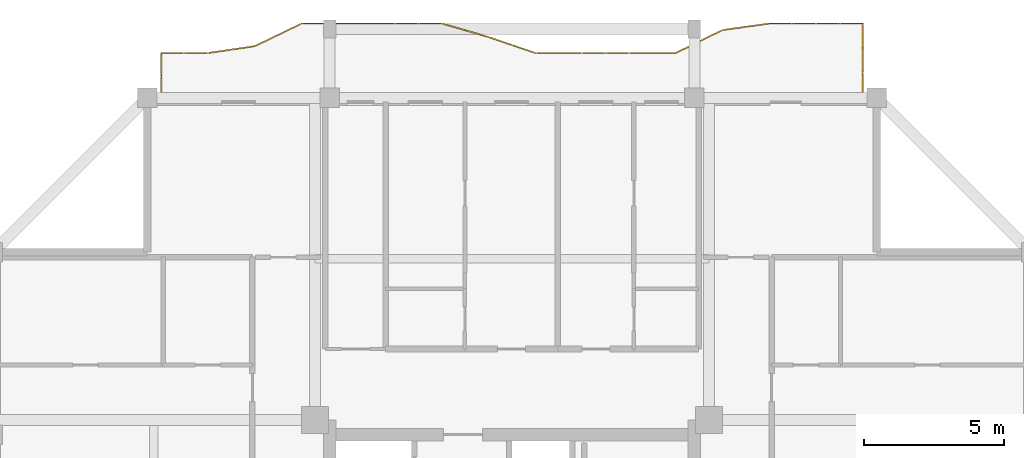
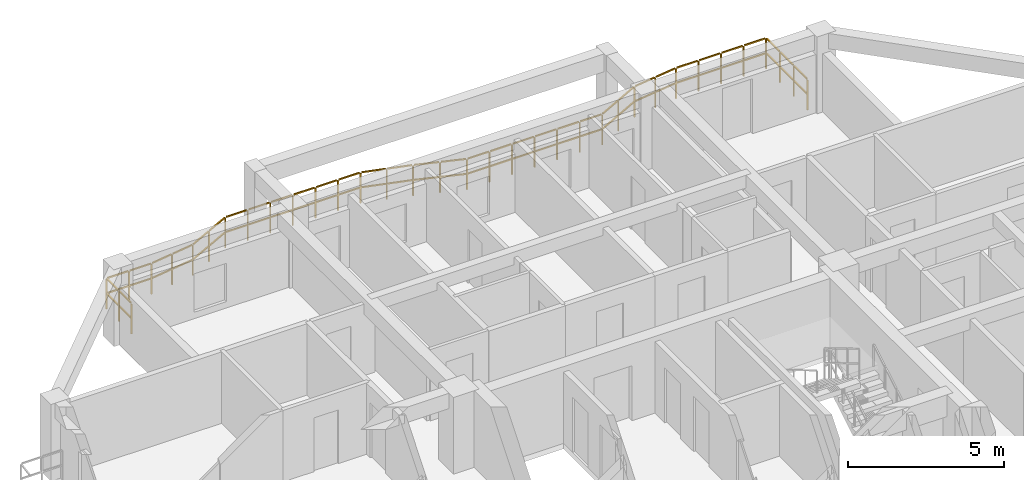
# One storey, part 14 of 14: 1 railing.
"""IFC4 building model written with IfcOpenShell, lengths in metres."""

import ifcopenshell
import ifcopenshell.guid

model = None  # the IFC model being written
_history = None  # IfcOwnerHistory: only IFC2X3 demands one
_inside = {}  # id of a spatial element -> (the spatial element, [elements in it])
_under = {}  # id of a project, library or spatial element -> (it, [spatial elements below it])
_declared = {}  # id of a project -> (the project, [libraries it declares])
_typed = {}  # id of a type object -> (the type object, [elements of that type])
_made_of = {}  # id of a material, layer set ... -> (it, [elements and type objects made of it])


def new_model(schema):
    """Start an empty IFC model of exactly this schema.

    Asked for "IFC4X3", IfcOpenShell would pick the latest addendum, in which some entities
    have other attributes; the version numbers below select the first issue.
    IFC2X3 requires an IfcOwnerHistory on every rooted entity: one is made here for all.
    """
    global model, _history
    if schema == "IFC4X3":
        model = ifcopenshell.file(schema_version=(4, 3, 0, 0))
    else:
        model = ifcopenshell.file(schema=schema)
    _inside.clear()
    _under.clear()
    _declared.clear()
    _typed.clear()
    _made_of.clear()
    _history = None
    if model.schema == "IFC2X3":
        org = make("IfcOrganization", Name="unknown")
        user = make(
            "IfcPersonAndOrganization",
            ThePerson=make("IfcPerson", FamilyName="unknown"),
            TheOrganization=org,
        )
        app = make(
            "IfcApplication",
            ApplicationDeveloper=org,
            Version="unknown",
            ApplicationFullName="unknown",
            ApplicationIdentifier="unknown",
        )
        _history = make(
            "IfcOwnerHistory",
            OwningUser=user,
            OwningApplication=app,
            ChangeAction="ADDED",
            CreationDate=0,
        )
    return model


def make(cls, **values):
    """One entity of the class cls with the attributes given. An attribute that is None is left unset."""
    return model.create_entity(
        cls, **{name: value for name, value in values.items() if value is not None}
    )


def rooted(cls, **values):
    """An entity with a GlobalId (a new one), such as an element, a storey or a relation."""
    return make(cls, GlobalId=ifcopenshell.guid.new(), OwnerHistory=_history, **values)


def si_unit(unit_type, name, prefix=None):
    """IfcSIUnit, for example si_unit("LENGTHUNIT", "METRE", prefix="MILLI")."""
    return make("IfcSIUnit", UnitType=unit_type, Prefix=prefix, Name=name)


def assignment(units):
    """IfcUnitAssignment: the units of a project."""
    return None if units is None else make("IfcUnitAssignment", Units=units)


def point(xyz):
    """IfcCartesianPoint."""
    return None if xyz is None else make("IfcCartesianPoint", Coordinates=xyz)


def direction(xyz):
    """IfcDirection."""
    return None if xyz is None else make("IfcDirection", DirectionRatios=xyz)


def frame(location, z_axis=None, x_axis=None):
    """IfcAxis2Placement3D, a coordinate frame: its origin and axes. An axis left out is left unset."""
    return make(
        "IfcAxis2Placement3D",
        Location=point(location),
        Axis=direction(z_axis),
        RefDirection=direction(x_axis),
    )


def frame_2d(location, x_axis=None):
    """IfcAxis2Placement2D, a coordinate frame in the plane: its origin and x axis."""
    return make(
        "IfcAxis2Placement2D", Location=point(location), RefDirection=direction(x_axis)
    )


def origin():
    """The frame at (0, 0, 0) with its axes left unset."""
    return frame((0.0, 0.0, 0.0))


def origin_2d():
    """The frame at (0, 0) in the plane with its x axis left unset."""
    return frame_2d((0.0, 0.0))


def place(relative_to, where):
    """IfcLocalPlacement: puts the frame where relative to a parent placement (None: the world)."""
    return make(
        "IfcLocalPlacement", PlacementRelTo=relative_to, RelativePlacement=where
    )


def context(
    kind, dimensions, precision=None, world=None, true_north=None, identifier=None
):
    """IfcGeometricRepresentationContext, for example the 3D "Model" context."""
    return make(
        "IfcGeometricRepresentationContext",
        ContextIdentifier=identifier,
        ContextType=kind,
        CoordinateSpaceDimension=dimensions,
        Precision=precision,
        WorldCoordinateSystem=world,
        TrueNorth=true_north,
    )


def subcontext(parent, identifier, kind, view, scale=None):
    """IfcGeometricRepresentationSubContext, for example "Body" below "Model"."""
    return make(
        "IfcGeometricRepresentationSubContext",
        ContextIdentifier=identifier,
        ContextType=kind,
        ParentContext=parent,
        TargetScale=scale,
        TargetView=view,
    )


def project(units=None, contexts=None):
    """IfcProject with its units and contexts."""
    return rooted(
        "IfcProject",
        Name="project",
        RepresentationContexts=contexts,
        UnitsInContext=assignment(units),
    )


def spatial(cls, under=None, at=None, **own):
    """A site, building, storey or space (cls), placed at a placement, below another one or the project."""
    s = rooted(cls, ObjectPlacement=at, **own)
    if under is not None:
        _under.setdefault(under.id(), (under, []))[1].append(s)
    return s


def profile(cls, at=None, kind="AREA", **sizes):
    """A parametric profile (cls). Its sizes go by their IFC names, for example OverallWidth=200.0."""
    return make(cls, ProfileType=kind, Position=at, **sizes)


def rectangle(**sizes):
    """IfcRectangleProfileDef."""
    return profile("IfcRectangleProfileDef", **sizes)


def extrude(swept, where, along, depth):
    """IfcExtrudedAreaSolid: the profile swept, set in the frame where, extruded along a direction by depth."""
    return make(
        "IfcExtrudedAreaSolid",
        SweptArea=swept,
        Position=where,
        ExtrudedDirection=direction(along),
        Depth=depth,
    )


def shape(context_of_items, identifier, shape_type, items):
    """IfcShapeRepresentation: the items that make up one representation, for example the "Body"."""
    return make(
        "IfcShapeRepresentation",
        ContextOfItems=context_of_items,
        RepresentationIdentifier=identifier,
        RepresentationType=shape_type,
        Items=items,
    )


def material(Name=None, Category=None):
    """IfcMaterial."""
    return make("IfcMaterial", Name=Name, Category=Category)


def made_of(thing, what):
    """Note that an element or type object is made of a material, layer set ...; save() writes the relation."""
    if what is not None:
        _made_of.setdefault(what.id(), (what, []))[1].append(thing)
    return thing


def type_object(cls, material=None, **own):
    """A type object (cls), such as IfcWallType, which elements share."""
    return made_of(rooted(cls, **own), material)


def element(
    cls,
    number,
    at=None,
    inside=None,
    cuts=None,
    type_object=None,
    material=None,
    context=None,
    identifier="Body",
    shape_type=None,
    held_by="IfcProductDefinitionShape",
    body=None,
    shapes=None,
    **own,
):
    """One element of the class cls, such as IfcWall. Its Tag is "e" and its number.

    at: its placement. inside: the storey or other place that contains it. cuts: it is an
    opening in that element (IfcRelVoidsElement). A single representation is given by context,
    identifier, shape_type and body (its items); several are given by shapes. held_by: the class
    of the entity that holds the representations. save() writes the other relations.
    """
    e = rooted(cls, Tag="e%d" % number, ObjectPlacement=at, **own)
    if body is not None:
        shapes = [shape(context, identifier, shape_type, body)]
    if shapes is not None:
        e.Representation = make(held_by, Representations=shapes)
    if inside is not None:
        _inside.setdefault(inside.id(), (inside, []))[1].append(e)
    if cuts is not None:
        rooted(
            "IfcRelVoidsElement", RelatingBuildingElement=cuts, RelatedOpeningElement=e
        )
    if type_object is not None:
        _typed.setdefault(type_object.id(), (type_object, []))[1].append(e)
    return made_of(e, material)


def aggregate(whole, parts):
    """IfcRelAggregates: a whole, such as a stair, and the parts it consists of."""
    return rooted("IfcRelAggregates", RelatingObject=whole, RelatedObjects=parts)


def save(model, path):
    """Write the relations noted so far, then the file.

    IfcRelAggregates (storeys below a building ...), IfcRelContainedInSpatialStructure (elements
    in a storey), IfcRelDefinesByType, IfcRelAssociatesMaterial and IfcRelDeclares: one each for
    every whole, place, type object, material and project.
    """
    for whole, parts in _under.values():
        aggregate(whole, parts)
    for where, things in _inside.values():
        rooted(
            "IfcRelContainedInSpatialStructure",
            RelatedElements=things,
            RelatingStructure=where,
        )
    for kind, things in _typed.values():
        rooted("IfcRelDefinesByType", RelatedObjects=things, RelatingType=kind)
    for what, things in _made_of.values():
        rooted("IfcRelAssociatesMaterial", RelatedObjects=things, RelatingMaterial=what)
    for by, libraries in _declared.values():
        rooted("IfcRelDeclares", RelatingContext=by, RelatedDefinitions=libraries)
    model.write(path)


model = new_model("IFC4")

# Units and contexts
model_context = context("Model", 3, precision=1e-05, world=origin(), true_north=direction((0.0, 1.0)))
body_context = subcontext(model_context, "Body", "Model", "MODEL_VIEW")
ifc_project = project(units=[si_unit("LENGTHUNIT", "METRE"), si_unit("AREAUNIT", "SQUARE_METRE"), si_unit("VOLUMEUNIT", "CUBIC_METRE"), si_unit("PLANEANGLEUNIT", "RADIAN"), si_unit("MASSUNIT", "GRAM", prefix="KILO")], contexts=[model_context])

# Site, building, storey
site_placement = place(None, origin())
site = spatial("IfcSite", under=ifc_project, at=site_placement, CompositionType="ELEMENT")
building_placement = place(site_placement, origin())
building = spatial("IfcBuilding", under=site, at=building_placement, Name="Saelheon Loggia Tower", CompositionType="ELEMENT")
storey_placement = place(building_placement, frame((0.0, 0.0, 213.300048828125)))
storey = spatial("IfcBuildingStorey", under=building, at=storey_placement, Name="L66", CompositionType="ELEMENT", Elevation=213.300048828125)

# Railing
ifc_material = material(Name="Architectural Precast Concrete and Laminated Glass Guard", Category="concrete")
railing_type = type_object("IfcRailingType", Name="Guard_Loggia_RL_LOG", PredefinedType="BALUSTRADE", material=ifc_material)
railing_placement = place(storey_placement, frame((50.5, 48.0, 0.0)))
element("IfcRailing", 1, at=railing_placement, inside=storey, type_object=railing_type, Name="L66 North Loggia Balustrade", PredefinedType="BALUSTRADE", context=body_context, shape_type="SweptSolid", body=[
    extrude(rectangle(XDim=0.048095703125, YDim=0.048095703125, at=origin_2d()), frame((0.0, 0.033203125, 1.19580078125), z_axis=(0.0, 1.0, 0.0), x_axis=(-1.0, 0.0, 0.0)), (0.0, 0.0, 1.0), 0.81689453125),
    extrude(rectangle(XDim=0.048095703125, YDim=0.048095703125, at=origin_2d()), frame((0.0, 0.033203125, 0.60986328125), z_axis=(0.0, 1.0, 0.0), x_axis=(-1.0, 0.0, 0.0)), (0.0, 0.0, 1.0), 0.81689453125),
    extrude(rectangle(XDim=0.048095703125, YDim=0.048095703125, at=origin_2d()), frame((0.0, 0.91650390625, 1.19580078125), z_axis=(0.0, 1.0, 0.0), x_axis=(-1.0, 0.0, 0.0)), (0.0, 0.0, 1.0), 0.81689453125),
    extrude(rectangle(XDim=0.048095703125, YDim=0.048095703125, at=origin_2d()), frame((0.0, 0.91650390625, 0.60986328125), z_axis=(0.0, 1.0, 0.0), x_axis=(-1.0, 0.0, 0.0)), (0.0, 0.0, 1.0), 0.81689453125),
    extrude(rectangle(XDim=0.048095703125, YDim=0.048095703125, at=origin_2d()), frame((0.0, 1.7998046875, 1.19580078125), z_axis=(0.0, 1.0, 0.0), x_axis=(-1.0, 0.0, 0.0)), (0.0, 0.0, 1.0), 0.81689453125),
    extrude(rectangle(XDim=0.048095703125, YDim=0.048095703125, at=origin_2d()), frame((0.0, 1.7998046875, 0.60986328125), z_axis=(0.0, 1.0, 0.0), x_axis=(-1.0, 0.0, 0.0)), (0.0, 0.0, 1.0), 0.81689453125),
    extrude(rectangle(XDim=0.048095703125, YDim=0.048095703125, at=origin_2d()), frame((-0.033203125, 2.64990234375, 1.19580078125), z_axis=(-1.0, 0.0, 0.0), x_axis=(0.0, -1.0, 0.0)), (0.0, 0.0, 1.0), 0.766845703125),
    extrude(rectangle(XDim=0.048095703125, YDim=0.048095703125, at=origin_2d()), frame((-0.033203125, 2.64990234375, 0.60986328125), z_axis=(-1.0, 0.0, 0.0), x_axis=(0.0, -1.0, 0.0)), (0.0, 0.0, 1.0), 0.766845703125),
    extrude(rectangle(XDim=0.048095703125, YDim=0.048095703125, at=origin_2d()), frame((-0.86669921875, 2.64990234375, 1.19580078125), z_axis=(-1.0, 0.0, 0.0), x_axis=(0.0, -1.0, 0.0)), (0.0, 0.0, 1.0), 0.766845703125),
    extrude(rectangle(XDim=0.048095703125, YDim=0.048095703125, at=origin_2d()), frame((-0.86669921875, 2.64990234375, 0.60986328125), z_axis=(-1.0, 0.0, 0.0), x_axis=(0.0, -1.0, 0.0)), (0.0, 0.0, 1.0), 0.766845703125),
    extrude(rectangle(XDim=0.048095703125, YDim=0.048095703125, at=origin_2d()), frame((-1.699951171875, 2.64990234375, 1.19580078125), z_axis=(-1.0, 0.0, 0.0), x_axis=(0.0, -1.0, 0.0)), (0.0, 0.0, 1.0), 0.766845703125),
    extrude(rectangle(XDim=0.048095703125, YDim=0.048095703125, at=origin_2d()), frame((-1.699951171875, 2.64990234375, 0.60986328125), z_axis=(-1.0, 0.0, 0.0), x_axis=(0.0, -1.0, 0.0)), (0.0, 0.0, 1.0), 0.766845703125),
    extrude(rectangle(XDim=0.048095703125, YDim=0.048095703125, at=origin_2d()), frame((-2.533203125, 2.64990234375, 1.19580078125), z_axis=(-1.0, 0.0, 0.0), x_axis=(0.0, -1.0, 0.0)), (0.0, 0.0, 1.0), 0.766845703125),
    extrude(rectangle(XDim=0.048095703125, YDim=0.048095703125, at=origin_2d()), frame((-2.533203125, 2.64990234375, 0.60986328125), z_axis=(-1.0, 0.0, 0.0), x_axis=(0.0, -1.0, 0.0)), (0.0, 0.0, 1.0), 0.766845703125),
    extrude(rectangle(XDim=0.048095703125, YDim=0.048095703125, at=origin_2d()), frame((-3.3662109375, 2.645263671875, 1.19580078125), z_axis=(-0.990614355451, -0.136686498145, 0.0), x_axis=(0.136686498145, -0.990614355451, 0.0)), (0.0, 0.0, 1.0), 0.77490234375),
    extrude(rectangle(XDim=0.048095703125, YDim=0.048095703125, at=origin_2d()), frame((-3.3662109375, 2.645263671875, 0.60986328125), z_axis=(-0.990614355451, -0.136686498145, 0.0), x_axis=(0.136686498145, -0.990614355451, 0.0)), (0.0, 0.0, 1.0), 0.77490234375),
    extrude(rectangle(XDim=0.048095703125, YDim=0.048095703125, at=origin_2d()), frame((-4.199462890625, 2.5302734375, 1.19580078125), z_axis=(-0.990614355451, -0.136686498145, 0.0), x_axis=(0.136686498145, -0.990614355451, 0.0)), (0.0, 0.0, 1.0), 0.77490234375),
    extrude(rectangle(XDim=0.048095703125, YDim=0.048095703125, at=origin_2d()), frame((-4.199462890625, 2.5302734375, 0.60986328125), z_axis=(-0.990614355451, -0.136686498145, 0.0), x_axis=(0.136686498145, -0.990614355451, 0.0)), (0.0, 0.0, 1.0), 0.77490234375),
    extrude(rectangle(XDim=0.048095703125, YDim=0.048095703125, at=origin_2d()), frame((-5.02978515625, 2.4052734375, 1.19580078125), z_axis=(-0.89732607219, -0.441368236475, 0.0), x_axis=(0.441368236475, -0.89732607219, 0.0)), (0.0, 0.0, 1.0), 0.8623046875),
    extrude(rectangle(XDim=0.048095703125, YDim=0.048095703125, at=origin_2d()), frame((-5.02978515625, 2.4052734375, 0.60986328125), z_axis=(-0.89732607219, -0.441368236475, 0.0), x_axis=(0.441368236475, -0.89732607219, 0.0)), (0.0, 0.0, 1.0), 0.8623046875),
    extrude(rectangle(XDim=0.048095703125, YDim=0.048095703125, at=origin_2d()), frame((-5.86328125, 1.995361328125, 1.19580078125), z_axis=(-0.89732607219, -0.441368236475, 0.0), x_axis=(0.441368236475, -0.89732607219, 0.0)), (0.0, 0.0, 1.0), 0.8623046875),
    extrude(rectangle(XDim=0.048095703125, YDim=0.048095703125, at=origin_2d()), frame((-5.86328125, 1.995361328125, 0.60986328125), z_axis=(-0.89732607219, -0.441368236475, 0.0), x_axis=(0.441368236475, -0.89732607219, 0.0)), (0.0, 0.0, 1.0), 0.8623046875),
    extrude(rectangle(XDim=0.048095703125, YDim=0.048095703125, at=origin_2d()), frame((-6.699951171875, 1.60009765625, 1.19580078125), z_axis=(-1.0, 0.0, 0.0), x_axis=(0.0, -1.0, 0.0)), (0.0, 0.0, 1.0), 0.766845703125),
    extrude(rectangle(XDim=0.048095703125, YDim=0.048095703125, at=origin_2d()), frame((-6.699951171875, 1.60009765625, 0.60986328125), z_axis=(-1.0, 0.0, 0.0), x_axis=(0.0, -1.0, 0.0)), (0.0, 0.0, 1.0), 0.766845703125),
    extrude(rectangle(XDim=0.048095703125, YDim=0.048095703125, at=origin_2d()), frame((-7.533203125, 1.60009765625, 1.19580078125), z_axis=(-1.0, 0.0, 0.0), x_axis=(0.0, -1.0, 0.0)), (0.0, 0.0, 1.0), 0.766845703125),
    extrude(rectangle(XDim=0.048095703125, YDim=0.048095703125, at=origin_2d()), frame((-7.533203125, 1.60009765625, 0.60986328125), z_axis=(-1.0, 0.0, 0.0), x_axis=(0.0, -1.0, 0.0)), (0.0, 0.0, 1.0), 0.766845703125),
    extrude(rectangle(XDim=0.048095703125, YDim=0.048095703125, at=origin_2d()), frame((-8.366455078125, 1.60009765625, 1.19580078125), z_axis=(-1.0, 0.0, 0.0), x_axis=(0.0, -1.0, 0.0)), (0.0, 0.0, 1.0), 0.766845703125),
    extrude(rectangle(XDim=0.048095703125, YDim=0.048095703125, at=origin_2d()), frame((-8.366455078125, 1.60009765625, 0.60986328125), z_axis=(-1.0, 0.0, 0.0), x_axis=(0.0, -1.0, 0.0)), (0.0, 0.0, 1.0), 0.766845703125),
    extrude(rectangle(XDim=0.048095703125, YDim=0.048095703125, at=origin_2d()), frame((-9.199951171875, 1.60009765625, 1.19580078125), z_axis=(-1.0, 0.0, 0.0), x_axis=(0.0, -1.0, 0.0)), (0.0, 0.0, 1.0), 0.766845703125),
    extrude(rectangle(XDim=0.048095703125, YDim=0.048095703125, at=origin_2d()), frame((-9.199951171875, 1.60009765625, 0.60986328125), z_axis=(-1.0, 0.0, 0.0), x_axis=(0.0, -1.0, 0.0)), (0.0, 0.0, 1.0), 0.766845703125),
    extrude(rectangle(XDim=0.048095703125, YDim=0.048095703125, at=origin_2d()), frame((-10.033203125, 1.60009765625, 1.19580078125), z_axis=(-1.0, 0.0, 0.0), x_axis=(0.0, -1.0, 0.0)), (0.0, 0.0, 1.0), 0.766845703125),
    extrude(rectangle(XDim=0.048095703125, YDim=0.048095703125, at=origin_2d()), frame((-10.033203125, 1.60009765625, 0.60986328125), z_axis=(-1.0, 0.0, 0.0), x_axis=(0.0, -1.0, 0.0)), (0.0, 0.0, 1.0), 0.766845703125),
    extrude(rectangle(XDim=0.048095703125, YDim=0.048095703125, at=origin_2d()), frame((-10.86669921875, 1.60009765625, 1.19580078125), z_axis=(-1.0, 0.0, 0.0), x_axis=(0.0, -1.0, 0.0)), (0.0, 0.0, 1.0), 0.766845703125),
    extrude(rectangle(XDim=0.048095703125, YDim=0.048095703125, at=origin_2d()), frame((-10.86669921875, 1.60009765625, 0.60986328125), z_axis=(-1.0, 0.0, 0.0), x_axis=(0.0, -1.0, 0.0)), (0.0, 0.0, 1.0), 0.766845703125),
    extrude(rectangle(XDim=0.048095703125, YDim=0.048095703125, at=origin_2d()), frame((-11.6982421875, 1.61083984375, 1.19580078125), z_axis=(-0.946512113142, 0.322668281172, 0.0), x_axis=(-0.322668281172, -0.946512113142, 0.0)), (0.0, 0.0, 1.0), 0.81396484375),
    extrude(rectangle(XDim=0.048095703125, YDim=0.048095703125, at=origin_2d()), frame((-11.6982421875, 1.61083984375, 0.60986328125), z_axis=(-0.946512113142, 0.322668281172, 0.0), x_axis=(-0.322668281172, -0.946512113142, 0.0)), (0.0, 0.0, 1.0), 0.81396484375),
    extrude(rectangle(XDim=0.048095703125, YDim=0.048095703125, at=origin_2d()), frame((-12.531494140625, 1.894775390625, 1.19580078125), z_axis=(-0.946512113142, 0.322668281172, 0.0), x_axis=(-0.322668281172, -0.946512113142, 0.0)), (0.0, 0.0, 1.0), 0.81396484375),
    extrude(rectangle(XDim=0.048095703125, YDim=0.048095703125, at=origin_2d()), frame((-12.531494140625, 1.894775390625, 0.60986328125), z_axis=(-0.946512113142, 0.322668281172, 0.0), x_axis=(-0.322668281172, -0.946512113142, 0.0)), (0.0, 0.0, 1.0), 0.81396484375),
    extrude(rectangle(XDim=0.048095703125, YDim=0.048095703125, at=origin_2d()), frame((-13.365234375, 2.177490234375, 1.19580078125), z_axis=(-0.96068582887, 0.277637782388, 0.0), x_axis=(-0.277637782388, -0.96068582887, 0.0)), (0.0, 0.0, 1.0), 0.801025390625),
    extrude(rectangle(XDim=0.048095703125, YDim=0.048095703125, at=origin_2d()), frame((-13.365234375, 2.177490234375, 0.60986328125), z_axis=(-0.96068582887, 0.277637782388, 0.0), x_axis=(-0.277637782388, -0.96068582887, 0.0)), (0.0, 0.0, 1.0), 0.801025390625),
    extrude(rectangle(XDim=0.048095703125, YDim=0.048095703125, at=origin_2d()), frame((-14.198486328125, 2.418212890625, 1.19580078125), z_axis=(-0.96068582887, 0.277637782388, 0.0), x_axis=(-0.277637782388, -0.96068582887, 0.0)), (0.0, 0.0, 1.0), 0.801025390625),
    extrude(rectangle(XDim=0.048095703125, YDim=0.048095703125, at=origin_2d()), frame((-14.198486328125, 2.418212890625, 0.60986328125), z_axis=(-0.96068582887, 0.277637782388, 0.0), x_axis=(-0.277637782388, -0.96068582887, 0.0)), (0.0, 0.0, 1.0), 0.801025390625),
    extrude(rectangle(XDim=0.048095703125, YDim=0.048095703125, at=origin_2d()), frame((-15.033203125, 2.64990234375, 1.19580078125), z_axis=(-1.0, 0.0, 0.0), x_axis=(0.0, -1.0, 0.0)), (0.0, 0.0, 1.0), 0.766845703125),
    extrude(rectangle(XDim=0.048095703125, YDim=0.048095703125, at=origin_2d()), frame((-15.033203125, 2.64990234375, 0.60986328125), z_axis=(-1.0, 0.0, 0.0), x_axis=(0.0, -1.0, 0.0)), (0.0, 0.0, 1.0), 0.766845703125),
    extrude(rectangle(XDim=0.048095703125, YDim=0.048095703125, at=origin_2d()), frame((-15.86669921875, 2.64990234375, 1.19580078125), z_axis=(-1.0, 0.0, 0.0), x_axis=(0.0, -1.0, 0.0)), (0.0, 0.0, 1.0), 0.766845703125),
    extrude(rectangle(XDim=0.048095703125, YDim=0.048095703125, at=origin_2d()), frame((-15.86669921875, 2.64990234375, 0.60986328125), z_axis=(-1.0, 0.0, 0.0), x_axis=(0.0, -1.0, 0.0)), (0.0, 0.0, 1.0), 0.766845703125),
    extrude(rectangle(XDim=0.048095703125, YDim=0.048095703125, at=origin_2d()), frame((-16.699951171875, 2.64990234375, 1.19580078125), z_axis=(-1.0, 0.0, 0.0), x_axis=(0.0, -1.0, 0.0)), (0.0, 0.0, 1.0), 0.766845703125),
    extrude(rectangle(XDim=0.048095703125, YDim=0.048095703125, at=origin_2d()), frame((-16.699951171875, 2.64990234375, 0.60986328125), z_axis=(-1.0, 0.0, 0.0), x_axis=(0.0, -1.0, 0.0)), (0.0, 0.0, 1.0), 0.766845703125),
    extrude(rectangle(XDim=0.048095703125, YDim=0.048095703125, at=origin_2d()), frame((-17.533203125, 2.64990234375, 1.19580078125), z_axis=(-1.0, 0.0, 0.0), x_axis=(0.0, -1.0, 0.0)), (0.0, 0.0, 1.0), 0.766845703125),
    extrude(rectangle(XDim=0.048095703125, YDim=0.048095703125, at=origin_2d()), frame((-17.533203125, 2.64990234375, 0.60986328125), z_axis=(-1.0, 0.0, 0.0), x_axis=(0.0, -1.0, 0.0)), (0.0, 0.0, 1.0), 0.766845703125),
    extrude(rectangle(XDim=0.048095703125, YDim=0.048095703125, at=origin_2d()), frame((-18.366455078125, 2.64990234375, 1.19580078125), z_axis=(-1.0, 0.0, 0.0), x_axis=(0.0, -1.0, 0.0)), (0.0, 0.0, 1.0), 0.766845703125),
    extrude(rectangle(XDim=0.048095703125, YDim=0.048095703125, at=origin_2d()), frame((-18.366455078125, 2.64990234375, 0.60986328125), z_axis=(-1.0, 0.0, 0.0), x_axis=(0.0, -1.0, 0.0)), (0.0, 0.0, 1.0), 0.766845703125),
    extrude(rectangle(XDim=0.048095703125, YDim=0.048095703125, at=origin_2d()), frame((-19.199951171875, 2.64990234375, 1.19580078125), z_axis=(-1.0, 0.0, 0.0), x_axis=(0.0, -1.0, 0.0)), (0.0, 0.0, 1.0), 0.766845703125),
    extrude(rectangle(XDim=0.048095703125, YDim=0.048095703125, at=origin_2d()), frame((-19.199951171875, 2.64990234375, 0.60986328125), z_axis=(-1.0, 0.0, 0.0), x_axis=(0.0, -1.0, 0.0)), (0.0, 0.0, 1.0), 0.766845703125),
    extrude(rectangle(XDim=0.048095703125, YDim=0.048095703125, at=origin_2d()), frame((-20.030029296875, 2.635498046875, 1.19580078125), z_axis=(-0.900385982207, -0.43509203974, 0.0), x_axis=(0.43509203974, -0.900385982207, 0.0)), (0.0, 0.0, 1.0), 0.859130859375),
    extrude(rectangle(XDim=0.048095703125, YDim=0.048095703125, at=origin_2d()), frame((-20.030029296875, 2.635498046875, 0.60986328125), z_axis=(-0.900385982207, -0.43509203974, 0.0), x_axis=(0.43509203974, -0.900385982207, 0.0)), (0.0, 0.0, 1.0), 0.859130859375),
    extrude(rectangle(XDim=0.048095703125, YDim=0.048095703125, at=origin_2d()), frame((-20.86328125, 2.232666015625, 1.19580078125), z_axis=(-0.900385982207, -0.43509203974, 0.0), x_axis=(0.43509203974, -0.900385982207, 0.0)), (0.0, 0.0, 1.0), 0.859130859375),
    extrude(rectangle(XDim=0.048095703125, YDim=0.048095703125, at=origin_2d()), frame((-20.86328125, 2.232666015625, 0.60986328125), z_axis=(-0.900385982207, -0.43509203974, 0.0), x_axis=(0.43509203974, -0.900385982207, 0.0)), (0.0, 0.0, 1.0), 0.859130859375),
    extrude(rectangle(XDim=0.048095703125, YDim=0.048095703125, at=origin_2d()), frame((-21.69970703125, 1.839599609375, 1.19580078125), z_axis=(-0.989417966407, -0.14509337597, 0.0), x_axis=(0.14509337597, -0.989417966407, 0.0)), (0.0, 0.0, 1.0), 0.775634765625),
    extrude(rectangle(XDim=0.048095703125, YDim=0.048095703125, at=origin_2d()), frame((-21.69970703125, 1.839599609375, 0.60986328125), z_axis=(-0.989417966407, -0.14509337597, 0.0), x_axis=(0.14509337597, -0.989417966407, 0.0)), (0.0, 0.0, 1.0), 0.775634765625),
    extrude(rectangle(XDim=0.048095703125, YDim=0.048095703125, at=origin_2d()), frame((-22.532958984375, 1.717529296875, 1.19580078125), z_axis=(-0.989417966407, -0.14509337597, 0.0), x_axis=(0.14509337597, -0.989417966407, 0.0)), (0.0, 0.0, 1.0), 0.775634765625),
    extrude(rectangle(XDim=0.048095703125, YDim=0.048095703125, at=origin_2d()), frame((-22.532958984375, 1.717529296875, 0.60986328125), z_axis=(-0.989417966407, -0.14509337597, 0.0), x_axis=(0.14509337597, -0.989417966407, 0.0)), (0.0, 0.0, 1.0), 0.775634765625),
    extrude(rectangle(XDim=0.048095703125, YDim=0.048095703125, at=origin_2d()), frame((-23.366455078125, 1.60009765625, 1.19580078125), z_axis=(-1.0, 0.0, 0.0), x_axis=(0.0, -1.0, 0.0)), (0.0, 0.0, 1.0), 0.766845703125),
    extrude(rectangle(XDim=0.048095703125, YDim=0.048095703125, at=origin_2d()), frame((-23.366455078125, 1.60009765625, 0.60986328125), z_axis=(-1.0, 0.0, 0.0), x_axis=(0.0, -1.0, 0.0)), (0.0, 0.0, 1.0), 0.766845703125),
    extrude(rectangle(XDim=0.048095703125, YDim=0.048095703125, at=origin_2d()), frame((-24.199951171875, 1.60009765625, 1.19580078125), z_axis=(-1.0, 0.0, 0.0), x_axis=(0.0, -1.0, 0.0)), (0.0, 0.0, 1.0), 0.766845703125),
    extrude(rectangle(XDim=0.048095703125, YDim=0.048095703125, at=origin_2d()), frame((-24.199951171875, 1.60009765625, 0.60986328125), z_axis=(-1.0, 0.0, 0.0), x_axis=(0.0, -1.0, 0.0)), (0.0, 0.0, 1.0), 0.766845703125),
    extrude(rectangle(XDim=0.048095703125, YDim=0.048095703125, at=origin_2d()), frame((-25.0, 1.56689453125, 1.19580078125), z_axis=(0.0, -1.0, 0.0), x_axis=(1.0, 0.0, 0.0)), (0.0, 0.0, 1.0), 0.733642578125),
    extrude(rectangle(XDim=0.048095703125, YDim=0.048095703125, at=origin_2d()), frame((-25.0, 1.56689453125, 0.60986328125), z_axis=(0.0, -1.0, 0.0), x_axis=(1.0, 0.0, 0.0)), (0.0, 0.0, 1.0), 0.733642578125),
    extrude(rectangle(XDim=0.048095703125, YDim=0.048095703125, at=origin_2d()), frame((-25.0, 0.766845703125, 1.19580078125), z_axis=(0.0, -1.0, 0.0), x_axis=(1.0, 0.0, 0.0)), (0.0, 0.0, 1.0), 0.733642578125),
    extrude(rectangle(XDim=0.048095703125, YDim=0.048095703125, at=origin_2d()), frame((-25.0, 0.766845703125, 0.60986328125), z_axis=(0.0, -1.0, 0.0), x_axis=(1.0, 0.0, 0.0)), (0.0, 0.0, 1.0), 0.733642578125),
    extrude(rectangle(XDim=0.0419921875, YDim=0.0419921875, at=origin_2d()), origin(), (0.0, 0.0, 1.0), 1.16796875),
    extrude(rectangle(XDim=0.0419921875, YDim=0.0419921875, at=origin_2d()), frame((0.0, 0.88330078125, 0.0)), (0.0, 0.0, 1.0), 1.16796875),
    extrude(rectangle(XDim=0.0419921875, YDim=0.0419921875, at=origin_2d()), frame((0.0, 1.7666015625, 0.0)), (0.0, 0.0, 1.0), 1.16796875),
    extrude(rectangle(XDim=0.0419921875, YDim=0.0419921875, at=origin_2d()), frame((0.0, 2.64990234375, 0.0)), (0.0, 0.0, 1.0), 1.16796875),
    extrude(rectangle(XDim=0.0419921875, YDim=0.0419921875, at=origin_2d()), frame((-0.83349609375, 2.64990234375, 0.0)), (0.0, 0.0, 1.0), 1.16796875),
    extrude(rectangle(XDim=0.0419921875, YDim=0.0419921875, at=origin_2d()), frame((-1.666748046875, 2.64990234375, 0.0)), (0.0, 0.0, 1.0), 1.16796875),
    extrude(rectangle(XDim=0.0419921875, YDim=0.0419921875, at=origin_2d()), frame((-2.5, 2.64990234375, 0.0)), (0.0, 0.0, 1.0), 1.16796875),
    extrude(rectangle(XDim=0.0419921875, YDim=0.0419921875, at=origin_2d()), frame((-3.333251953125, 2.64990234375, 0.0)), (0.0, 0.0, 1.0), 1.16796875),
    extrude(rectangle(XDim=0.0419921875, YDim=0.0419921875, at=origin_2d()), frame((-4.16650390625, 2.534912109375, 0.0)), (0.0, 0.0, 1.0), 1.16796875),
    extrude(rectangle(XDim=0.0419921875, YDim=0.0419921875, at=origin_2d()), frame((-5.0, 2.419921875, 0.0)), (0.0, 0.0, 1.0), 1.16796875),
    extrude(rectangle(XDim=0.0419921875, YDim=0.0419921875, at=origin_2d()), frame((-5.83349609375, 2.010009765625, 0.0)), (0.0, 0.0, 1.0), 1.16796875),
    extrude(rectangle(XDim=0.0419921875, YDim=0.0419921875, at=origin_2d()), frame((-6.666748046875, 1.60009765625, 0.0)), (0.0, 0.0, 1.0), 1.16796875),
    extrude(rectangle(XDim=0.0419921875, YDim=0.0419921875, at=origin_2d()), frame((-7.5, 1.60009765625, 0.0)), (0.0, 0.0, 1.0), 1.16796875),
    extrude(rectangle(XDim=0.0419921875, YDim=0.0419921875, at=origin_2d()), frame((-8.333251953125, 1.60009765625, 0.0)), (0.0, 0.0, 1.0), 1.16796875),
    extrude(rectangle(XDim=0.0419921875, YDim=0.0419921875, at=origin_2d()), frame((-9.16650390625, 1.60009765625, 0.0)), (0.0, 0.0, 1.0), 1.16796875),
    extrude(rectangle(XDim=0.0419921875, YDim=0.0419921875, at=origin_2d()), frame((-10.0, 1.60009765625, 0.0)), (0.0, 0.0, 1.0), 1.16796875),
    extrude(rectangle(XDim=0.0419921875, YDim=0.0419921875, at=origin_2d()), frame((-10.83349609375, 1.60009765625, 0.0)), (0.0, 0.0, 1.0), 1.16796875),
    extrude(rectangle(XDim=0.0419921875, YDim=0.0419921875, at=origin_2d()), frame((-11.666748046875, 1.60009765625, 0.0)), (0.0, 0.0, 1.0), 1.16796875),
    extrude(rectangle(XDim=0.0419921875, YDim=0.0419921875, at=origin_2d()), frame((-12.5, 1.88427734375, 0.0)), (0.0, 0.0, 1.0), 1.16796875),
    extrude(rectangle(XDim=0.0419921875, YDim=0.0419921875, at=origin_2d()), frame((-13.333251953125, 2.168212890625, 0.0)), (0.0, 0.0, 1.0), 1.16796875),
    extrude(rectangle(XDim=0.0419921875, YDim=0.0419921875, at=origin_2d()), frame((-14.16650390625, 2.4091796875, 0.0)), (0.0, 0.0, 1.0), 1.16796875),
    extrude(rectangle(XDim=0.0419921875, YDim=0.0419921875, at=origin_2d()), frame((-15.0, 2.64990234375, 0.0)), (0.0, 0.0, 1.0), 1.16796875),
    extrude(rectangle(XDim=0.0419921875, YDim=0.0419921875, at=origin_2d()), frame((-15.83349609375, 2.64990234375, 0.0)), (0.0, 0.0, 1.0), 1.16796875),
    extrude(rectangle(XDim=0.0419921875, YDim=0.0419921875, at=origin_2d()), frame((-16.666748046875, 2.64990234375, 0.0)), (0.0, 0.0, 1.0), 1.16796875),
    extrude(rectangle(XDim=0.0419921875, YDim=0.0419921875, at=origin_2d()), frame((-17.5, 2.64990234375, 0.0)), (0.0, 0.0, 1.0), 1.16796875),
    extrude(rectangle(XDim=0.0419921875, YDim=0.0419921875, at=origin_2d()), frame((-18.333251953125, 2.64990234375, 0.0)), (0.0, 0.0, 1.0), 1.16796875),
    extrude(rectangle(XDim=0.0419921875, YDim=0.0419921875, at=origin_2d()), frame((-19.16650390625, 2.64990234375, 0.0)), (0.0, 0.0, 1.0), 1.16796875),
    extrude(rectangle(XDim=0.0419921875, YDim=0.0419921875, at=origin_2d()), frame((-20.0, 2.64990234375, 0.0)), (0.0, 0.0, 1.0), 1.16796875),
    extrude(rectangle(XDim=0.0419921875, YDim=0.0419921875, at=origin_2d()), frame((-20.83349609375, 2.2470703125, 0.0)), (0.0, 0.0, 1.0), 1.16796875),
    extrude(rectangle(XDim=0.0419921875, YDim=0.0419921875, at=origin_2d()), frame((-21.666748046875, 1.844482421875, 0.0)), (0.0, 0.0, 1.0), 1.16796875),
    extrude(rectangle(XDim=0.0419921875, YDim=0.0419921875, at=origin_2d()), frame((-22.5, 1.72216796875, 0.0)), (0.0, 0.0, 1.0), 1.16796875),
    extrude(rectangle(XDim=0.0419921875, YDim=0.0419921875, at=origin_2d()), frame((-23.333251953125, 1.60009765625, 0.0)), (0.0, 0.0, 1.0), 1.16796875),
    extrude(rectangle(XDim=0.0419921875, YDim=0.0419921875, at=origin_2d()), frame((-24.16650390625, 1.60009765625, 0.0)), (0.0, 0.0, 1.0), 1.16796875),
    extrude(rectangle(XDim=0.0419921875, YDim=0.0419921875, at=origin_2d()), frame((-25.0, 1.60009765625, 0.0)), (0.0, 0.0, 1.0), 1.16796875),
    extrude(rectangle(XDim=0.0419921875, YDim=0.0419921875, at=origin_2d()), frame((-25.0, 0.800048828125, 0.0)), (0.0, 0.0, 1.0), 1.16796875),
    extrude(rectangle(XDim=0.0419921875, YDim=0.0419921875, at=origin_2d()), frame((-25.0, 0.0, 0.0)), (0.0, 0.0, 1.0), 1.16796875),
])

save(model, "model.ifc")
